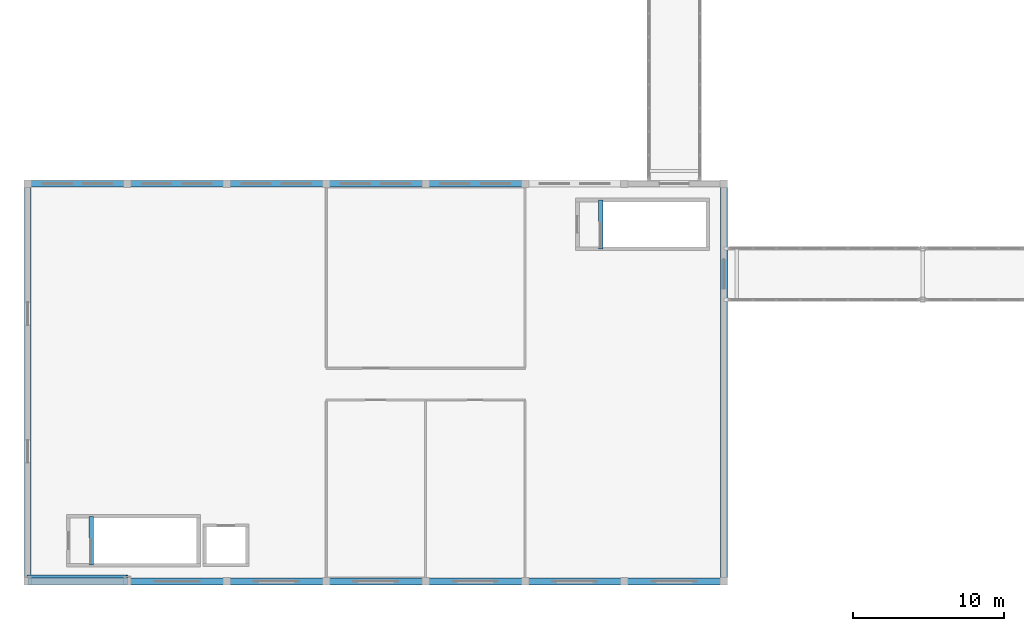
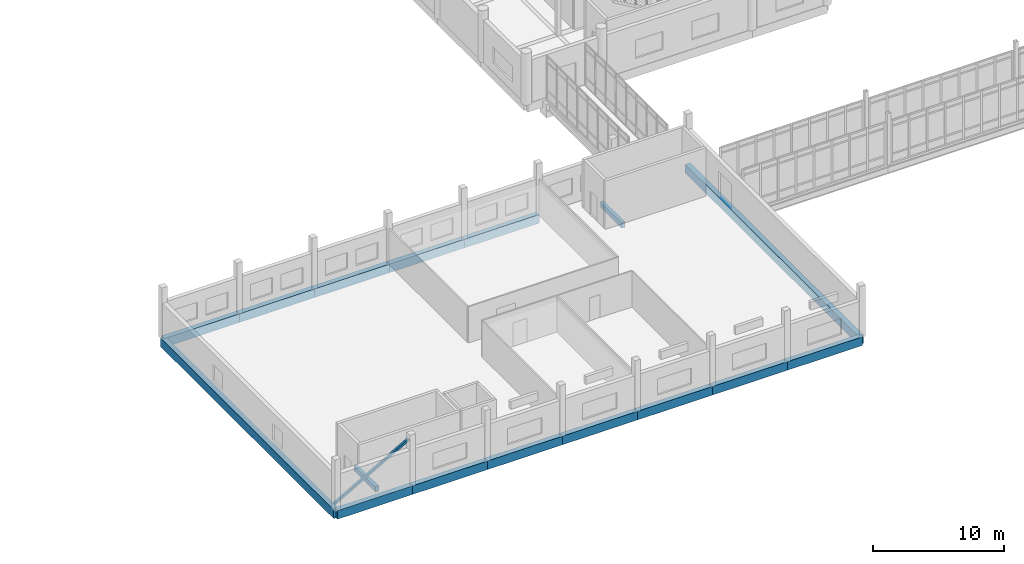
# One storey, part 9 of 101: 16 beams, 1 member.
"""IFC4 building model written with IfcOpenShell, lengths in metres."""

from ifc_helpers import new_model, si_unit, direction, frame, origin, origin_2d, place, context, subcontext, project, spatial, rectangle, hollow_rectangle, extrude, material, material_profile, profile_set, type_object, element, save


model = new_model("IFC4")

# Units and contexts
model_context = context("Model", 3, precision=1e-05, world=origin(), true_north=direction((0.0, 1.0)))
body_context = subcontext(model_context, "Body", "Model", "MODEL_VIEW")
ifc_project = project(units=[si_unit("LENGTHUNIT", "METRE"), si_unit("AREAUNIT", "SQUARE_METRE"), si_unit("VOLUMEUNIT", "CUBIC_METRE"), si_unit("PLANEANGLEUNIT", "RADIAN"), si_unit("MASSUNIT", "GRAM", prefix="KILO")], contexts=[model_context])

# Site, building, storey
site_placement = place(None, origin())
site = spatial("IfcSite", under=ifc_project, at=site_placement, CompositionType="ELEMENT")
building_placement = place(site_placement, origin())
building = spatial("IfcBuilding", under=site, at=building_placement, Name="Dornvale Research Institute", CompositionType="ELEMENT")
storey_placement = place(building_placement, frame((0.0, 0.0, 10.199951171875)))
storey = spatial("IfcBuildingStorey", under=building, at=storey_placement, Name="L02", CompositionType="ELEMENT", Elevation=10.199951171875)

# Beams
ifc_material_1 = material(Name="Concrete f'c 45 MPa (C35/45)", Category="concrete")
ifc_material_profile_1 = material_profile(ifc_material_1, rectangle(XDim=0.300048828125, YDim=0.5, at=origin_2d()), Name="RC 300x500")
ifc_profile_set_1 = profile_set([ifc_material_profile_1], Name="Concrete f'c 45 MPa (C35/45)")
beam_type_1 = type_object("IfcBeamType", Name="Beam_RC300x500_Trim", PredefinedType="BEAM", material=ifc_profile_set_1)
for number, where, z_axis, x_axis, name in (
    (1, (4.219970703125, 1.080078125, -0.25), (0.0, 1.0, 0.0), (-1.0, 0.0, 0.0), "L02 ST-9 stair landing trimmer beam #110"),
    (2, (38.02001953125, 22.080078125, -0.25), (0.0, 1.0, 0.0), (-1.0, 0.0, 0.0), "L02 ST-10 stair landing trimmer beam #115"),
):
    element("IfcBeam", number, at=place(storey_placement, frame(where, z_axis=z_axis, x_axis=x_axis)), inside=storey, type_object=beam_type_1, Name=name, PredefinedType="BEAM", context=body_context, shape_type="SweptSolid", body=[
        extrude(rectangle(XDim=0.300048828125, YDim=0.5, at=origin_2d()), origin(), (0.0, 0.0, 1.0), 3.239990234375),
    ])

# Member
ifc_material_2 = material(Name="Steel ASTM A500 Grade C", Category="steel")
ifc_material_profile_2 = material_profile(ifc_material_2, hollow_rectangle(XDim=0.202880859375, YDim=0.202880859375, WallThickness=0.0087890625, at=origin_2d()), Name="HSS203X203X9.5")
ifc_profile_set_2 = profile_set([ifc_material_profile_2], Name="Steel ASTM A500 Grade C")
member_type = type_object("IfcMemberType", Name="Brace_HSS203X203_Int", PredefinedType="BRACE", material=ifc_profile_set_2)
member_placement = place(storey_placement, frame((0.0, 0.340087890625, 0.300048828125), z_axis=(0.869459696941, 0.0, 0.494003881964), x_axis=(0.0, 1.0, 0.0)))
element("IfcMember", 3, at=member_placement, inside=storey, type_object=member_type, Name="L02 seismic diagonal brace #62", PredefinedType="BRACE", context=body_context, shape_type="SweptSolid", body=[
    extrude(hollow_rectangle(XDim=0.202880859375, YDim=0.202880859375, WallThickness=0.0087890625, at=origin_2d()), origin(), (0.0, 0.0, 1.0), 7.591064453125),
])

# Beams
ifc_material_3 = material(Name="Concrete f'c 45 MPa (C35/45)", Category="concrete")
ifc_material_profile_3 = material_profile(ifc_material_3, rectangle(XDim=0.449951171875, YDim=0.800048828125, at=origin_2d()), Name="RC 450x800")
ifc_profile_set_3 = profile_set([ifc_material_profile_3], Name="Concrete f'c 45 MPa (C35/45)")
beam_type_2 = type_object("IfcBeamType", Name="Spandrel_RC450x800_Ext", PredefinedType="SPANDREL", material=ifc_profile_set_3)
beam_1_placement = place(storey_placement, frame((0.0, 0.0, -0.39990234375), z_axis=(1.0, 0.0, 0.0), x_axis=(0.0, 1.0, 0.0)))
element("IfcBeam", 4, at=beam_1_placement, inside=storey, type_object=beam_type_2, Name="L02 perimeter spandrel #833", PredefinedType="SPANDREL", context=body_context, shape_type="SweptSolid", body=[
    extrude(rectangle(XDim=0.449951171875, YDim=0.800048828125, at=origin_2d()), origin(), (0.0, 0.0, 1.0), 6.60009765625),
])
beam_2_placement = place(storey_placement, frame((6.60009765625, 0.0, -0.39990234375), z_axis=(1.0, 0.0, 0.0), x_axis=(0.0, 1.0, 0.0)))
element("IfcBeam", 5, at=beam_2_placement, inside=storey, type_object=beam_type_2, Name="L02 perimeter spandrel #834", PredefinedType="SPANDREL", context=body_context, shape_type="SweptSolid", body=[
    extrude(rectangle(XDim=0.449951171875, YDim=0.800048828125, at=origin_2d()), origin(), (0.0, 0.0, 1.0), 6.599853515625),
])
beam_3_placement = place(storey_placement, frame((13.199951171875, 0.0, -0.39990234375), z_axis=(1.0, 0.0, 0.0), x_axis=(0.0, 1.0, 0.0)))
element("IfcBeam", 6, at=beam_3_placement, inside=storey, type_object=beam_type_2, Name="L02 perimeter spandrel #835", PredefinedType="SPANDREL", context=body_context, shape_type="SweptSolid", body=[
    extrude(rectangle(XDim=0.449951171875, YDim=0.800048828125, at=origin_2d()), origin(), (0.0, 0.0, 1.0), 6.60009765625),
])
beam_4_placement = place(storey_placement, frame((19.800048828125, 0.0, -0.39990234375), z_axis=(1.0, 0.0, 0.0), x_axis=(0.0, 1.0, 0.0)))
element("IfcBeam", 7, at=beam_4_placement, inside=storey, type_object=beam_type_2, Name="L02 perimeter spandrel #836", PredefinedType="SPANDREL", context=body_context, shape_type="SweptSolid", body=[
    extrude(rectangle(XDim=0.449951171875, YDim=0.800048828125, at=origin_2d()), origin(), (0.0, 0.0, 1.0), 6.599853515625),
])
for number, where, z_axis, x_axis, name in (
    (8, (26.39990234375, 0.0, -0.39990234375), (1.0, 0.0, 0.0), (0.0, 1.0, 0.0), "L02 perimeter spandrel #837"),
    (9, (33.0, 0.0, -0.39990234375), (1.0, 0.0, 0.0), (0.0, 1.0, 0.0), "L02 perimeter spandrel #838"),
):
    element("IfcBeam", number, at=place(storey_placement, frame(where, z_axis=z_axis, x_axis=x_axis)), inside=storey, type_object=beam_type_2, Name=name, PredefinedType="SPANDREL", context=body_context, shape_type="SweptSolid", body=[
        extrude(rectangle(XDim=0.449951171875, YDim=0.800048828125, at=origin_2d()), origin(), (0.0, 0.0, 1.0), 6.60009765625),
    ])
beam_5_placement = place(storey_placement, frame((39.60009765625, 0.0, -0.39990234375), z_axis=(1.0, 0.0, 0.0), x_axis=(0.0, 1.0, 0.0)))
element("IfcBeam", 10, at=beam_5_placement, inside=storey, type_object=beam_type_2, Name="L02 perimeter spandrel #839", PredefinedType="SPANDREL", context=body_context, shape_type="SweptSolid", body=[
    extrude(rectangle(XDim=0.449951171875, YDim=0.800048828125, at=origin_2d()), origin(), (0.0, 0.0, 1.0), 6.599853515625),
])
beam_6_placement = place(storey_placement, frame((0.0, 26.39990234375, -0.39990234375), z_axis=(1.0, 0.0, 0.0), x_axis=(0.0, 1.0, 0.0)))
element("IfcBeam", 11, at=beam_6_placement, inside=storey, type_object=beam_type_2, Name="L02 perimeter spandrel #840", PredefinedType="SPANDREL", context=body_context, shape_type="SweptSolid", body=[
    extrude(rectangle(XDim=0.449951171875, YDim=0.800048828125, at=origin_2d()), origin(), (0.0, 0.0, 1.0), 6.60009765625),
])
beam_7_placement = place(storey_placement, frame((6.60009765625, 26.39990234375, -0.39990234375), z_axis=(1.0, 0.0, 0.0), x_axis=(0.0, 1.0, 0.0)))
element("IfcBeam", 12, at=beam_7_placement, inside=storey, type_object=beam_type_2, Name="L02 perimeter spandrel #841", PredefinedType="SPANDREL", context=body_context, shape_type="SweptSolid", body=[
    extrude(rectangle(XDim=0.449951171875, YDim=0.800048828125, at=origin_2d()), origin(), (0.0, 0.0, 1.0), 6.599853515625),
])
beam_8_placement = place(storey_placement, frame((13.199951171875, 26.39990234375, -0.39990234375), z_axis=(1.0, 0.0, 0.0), x_axis=(0.0, 1.0, 0.0)))
element("IfcBeam", 13, at=beam_8_placement, inside=storey, type_object=beam_type_2, Name="L02 perimeter spandrel #842", PredefinedType="SPANDREL", context=body_context, shape_type="SweptSolid", body=[
    extrude(rectangle(XDim=0.449951171875, YDim=0.800048828125, at=origin_2d()), origin(), (0.0, 0.0, 1.0), 6.60009765625),
])
beam_9_placement = place(storey_placement, frame((19.800048828125, 26.39990234375, -0.39990234375), z_axis=(1.0, 0.0, 0.0), x_axis=(0.0, 1.0, 0.0)))
element("IfcBeam", 14, at=beam_9_placement, inside=storey, type_object=beam_type_2, Name="L02 perimeter spandrel #843", PredefinedType="SPANDREL", context=body_context, shape_type="SweptSolid", body=[
    extrude(rectangle(XDim=0.449951171875, YDim=0.800048828125, at=origin_2d()), origin(), (0.0, 0.0, 1.0), 6.599853515625),
])
beam_10_placement = place(storey_placement, frame((26.39990234375, 26.39990234375, -0.39990234375), z_axis=(1.0, 0.0, 0.0), x_axis=(0.0, 1.0, 0.0)))
element("IfcBeam", 15, at=beam_10_placement, inside=storey, type_object=beam_type_2, Name="L02 perimeter spandrel #844", PredefinedType="SPANDREL", context=body_context, shape_type="SweptSolid", body=[
    extrude(rectangle(XDim=0.449951171875, YDim=0.800048828125, at=origin_2d()), origin(), (0.0, 0.0, 1.0), 6.60009765625),
])
for number, where, z_axis, x_axis, name in (
    (16, (0.0, 0.0, -0.39990234375), (0.0, 1.0, 0.0), (-1.0, 0.0, 0.0), "L02 perimeter spandrel #847"),
    (17, (46.199951171875, 0.0, -0.39990234375), (0.0, 1.0, 0.0), (-1.0, 0.0, 0.0), "L02 perimeter spandrel #848"),
):
    element("IfcBeam", number, at=place(storey_placement, frame(where, z_axis=z_axis, x_axis=x_axis)), inside=storey, type_object=beam_type_2, Name=name, PredefinedType="SPANDREL", context=body_context, shape_type="SweptSolid", body=[
        extrude(rectangle(XDim=0.449951171875, YDim=0.800048828125, at=origin_2d()), origin(), (0.0, 0.0, 1.0), 26.39990234375),
    ])

save(model, "model.ifc")
